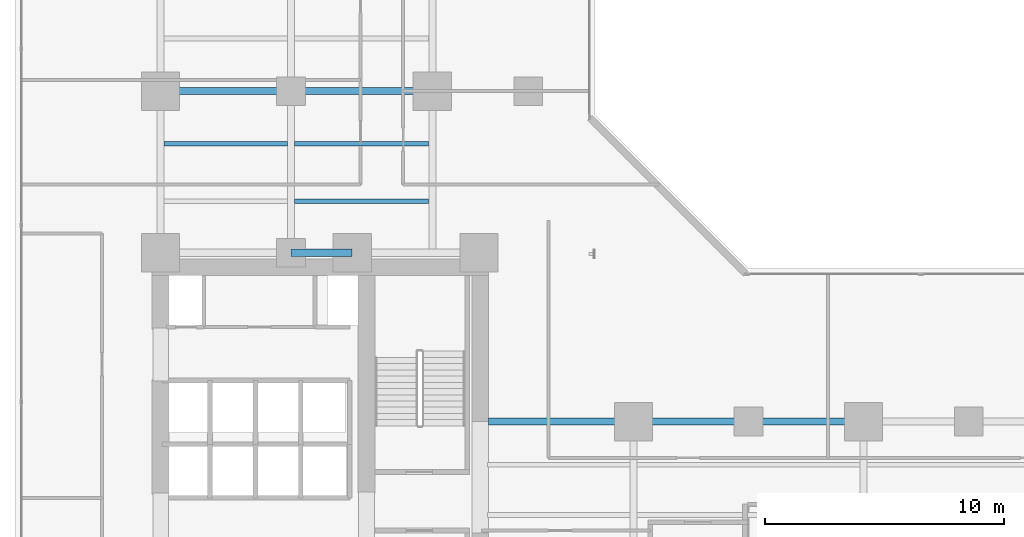
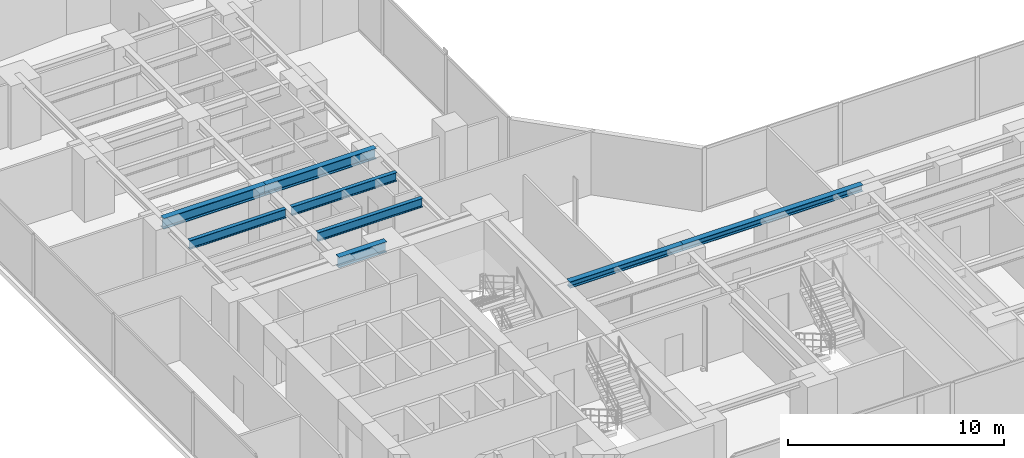
# One storey, part 7 of 27: 8 beams.
"""IFC4 building model written with IfcOpenShell, lengths in metres."""

from ifc_helpers import new_model, si_unit, direction, frame, origin, origin_2d, place, context, subcontext, project, spatial, i_section, extrude, material, material_profile, profile_set, type_object, element, save


model = new_model("IFC4")

# Units and contexts
model_context = context("Model", 3, precision=1e-05, world=origin(), true_north=direction((0.0, 1.0)))
body_context = subcontext(model_context, "Body", "Model", "MODEL_VIEW")
ifc_project = project(units=[si_unit("LENGTHUNIT", "METRE"), si_unit("AREAUNIT", "SQUARE_METRE"), si_unit("VOLUMEUNIT", "CUBIC_METRE"), si_unit("PLANEANGLEUNIT", "RADIAN"), si_unit("MASSUNIT", "GRAM", prefix="KILO")], contexts=[model_context])

# Site, building, storey
site_placement = place(None, origin())
site = spatial("IfcSite", under=ifc_project, at=site_placement, CompositionType="ELEMENT")
building_placement = place(site_placement, origin())
building = spatial("IfcBuilding", under=site, at=building_placement, Name="Kolvaren Waterfront Exchange", CompositionType="ELEMENT")
storey_placement = place(building_placement, frame((0.0, 0.0, 60.0)))
storey = spatial("IfcBuildingStorey", under=building, at=storey_placement, Name="L15", CompositionType="ELEMENT", Elevation=60.0)

# Beams
ifc_material = material(Name="Steel S355", Category="steel")
ifc_material_profile_1 = material_profile(ifc_material, i_section(OverallWidth=0.300048828125, OverallDepth=0.360107421875, WebThickness=0.012451171875, FlangeThickness=0.0224609375, FilletRadius=0.027099609375, at=origin_2d()), Name="HEB360")
ifc_profile_set_1 = profile_set([ifc_material_profile_1], Name="Steel S355")
beam_type_1 = type_object("IfcBeamType", Name="STR-BM-HEB360", PredefinedType="SPANDREL", material=ifc_profile_set_1)
beam_1_placement = place(storey_placement, frame((21.14990234375, 17.39990234375, 3.360107421875), z_axis=(1.0, 0.0, 0.0), x_axis=(0.0, 1.0, 0.0)))
element("IfcBeam", 1, at=beam_1_placement, inside=storey, type_object=beam_type_1, Name="L15 east-arm spandrel N1", PredefinedType="SPANDREL", context=body_context, shape_type="SweptSolid", body=[
    extrude(i_section(OverallWidth=0.300048828125, OverallDepth=0.360107421875, WebThickness=0.012451171875, FlangeThickness=0.0224609375, FilletRadius=0.027099609375, at=origin_2d()), origin(), (0.0, 0.0, 1.0), 6.050048828125),
])
beam_2_placement = place(storey_placement, frame((27.199951171875, 17.39990234375, 3.360107421875), z_axis=(1.0, 0.0, 0.0), x_axis=(0.0, 1.0, 0.0)))
element("IfcBeam", 2, at=beam_2_placement, inside=storey, type_object=beam_type_1, Name="L15 east-arm spandrel N2", PredefinedType="SPANDREL", context=body_context, shape_type="SweptSolid", body=[
    extrude(i_section(OverallWidth=0.300048828125, OverallDepth=0.360107421875, WebThickness=0.012451171875, FlangeThickness=0.0224609375, FilletRadius=0.027099609375, at=origin_2d()), origin(), (0.0, 0.0, 1.0), 9.60009765625),
])
ifc_material_profile_2 = material_profile(ifc_material, i_section(OverallWidth=0.300048828125, OverallDepth=0.60009765625, WebThickness=0.015380859375, FlangeThickness=0.030029296875, FilletRadius=0.027099609375, at=origin_2d()), Name="HEB600")
ifc_profile_set_2 = profile_set([ifc_material_profile_2], Name="Steel S355")
beam_type_2 = type_object("IfcBeamType", Name="STR-BM-HEB600", PredefinedType="BEAM", material=ifc_profile_set_2)
beam_3_placement = place(storey_placement, frame((12.89990234375, 24.449951171875, 3.239990234375), z_axis=(1.0, 0.0, 0.0), x_axis=(0.0, 1.0, 0.0)))
element("IfcBeam", 3, at=beam_3_placement, inside=storey, type_object=beam_type_2, Name="L15 north-arm girder 1B", PredefinedType="BEAM", context=body_context, shape_type="SweptSolid", body=[
    extrude(i_section(OverallWidth=0.300048828125, OverallDepth=0.60009765625, WebThickness=0.015380859375, FlangeThickness=0.030029296875, FilletRadius=0.027099609375, at=origin_2d()), origin(), (0.0, 0.0, 1.0), 2.550048828125),
])
beam_4_placement = place(storey_placement, frame((7.449951171875, 31.199951171875, 3.239990234375), z_axis=(1.0, 0.0, 0.0), x_axis=(0.0, 1.0, 0.0)))
element("IfcBeam", 4, at=beam_4_placement, inside=storey, type_object=beam_type_2, Name="L15 north-arm girder 2A", PredefinedType="BEAM", context=body_context, shape_type="SweptSolid", body=[
    extrude(i_section(OverallWidth=0.300048828125, OverallDepth=0.60009765625, WebThickness=0.015380859375, FlangeThickness=0.030029296875, FilletRadius=0.027099609375, at=origin_2d()), origin(), (0.0, 0.0, 1.0), 5.449951171875),
])
beam_5_placement = place(storey_placement, frame((12.89990234375, 31.199951171875, 3.239990234375), z_axis=(1.0, 0.0, 0.0), x_axis=(0.0, 1.0, 0.0)))
element("IfcBeam", 5, at=beam_5_placement, inside=storey, type_object=beam_type_2, Name="L15 north-arm girder 2B", PredefinedType="BEAM", context=body_context, shape_type="SweptSolid", body=[
    extrude(i_section(OverallWidth=0.300048828125, OverallDepth=0.60009765625, WebThickness=0.015380859375, FlangeThickness=0.030029296875, FilletRadius=0.027099609375, at=origin_2d()), origin(), (0.0, 0.0, 1.0), 5.900146484375),
])
ifc_material_profile_3 = material_profile(ifc_material, i_section(OverallWidth=0.199951171875, OverallDepth=0.5, WebThickness=0.01025390625, FlangeThickness=0.01611328125, FilletRadius=0.02099609375, at=origin_2d()), Name="IPE500")
ifc_profile_set_3 = profile_set([ifc_material_profile_3], Name="Steel S355")
beam_type_3 = type_object("IfcBeamType", Name="STR-BM-IPE500", PredefinedType="JOIST", material=ifc_profile_set_3)
beam_6_placement = place(storey_placement, frame((13.052001953125, 26.60009765625, 3.2900390625), z_axis=(1.0, 0.0, 0.0), x_axis=(0.0, 1.0, 0.0)))
element("IfcBeam", 6, at=beam_6_placement, inside=storey, type_object=beam_type_3, Name="L15 north-arm composite joist 1B", PredefinedType="JOIST", context=body_context, shape_type="SweptSolid", body=[
    extrude(i_section(OverallWidth=0.199951171875, OverallDepth=0.5, WebThickness=0.01025390625, FlangeThickness=0.01611328125, FilletRadius=0.02099609375, at=origin_2d()), origin(), (0.0, 0.0, 1.0), 5.595947265625),
])
beam_7_placement = place(storey_placement, frame((7.60205078125, 29.0, 3.2900390625), z_axis=(1.0, 0.0, 0.0), x_axis=(0.0, 1.0, 0.0)))
element("IfcBeam", 7, at=beam_7_placement, inside=storey, type_object=beam_type_3, Name="L15 north-arm composite joist 2A", PredefinedType="JOIST", context=body_context, shape_type="SweptSolid", body=[
    extrude(i_section(OverallWidth=0.199951171875, OverallDepth=0.5, WebThickness=0.01025390625, FlangeThickness=0.01611328125, FilletRadius=0.02099609375, at=origin_2d()), origin(), (0.0, 0.0, 1.0), 5.14599609375),
])
beam_8_placement = place(storey_placement, frame((13.052001953125, 29.0, 3.2900390625), z_axis=(1.0, 0.0, 0.0), x_axis=(0.0, 1.0, 0.0)))
element("IfcBeam", 8, at=beam_8_placement, inside=storey, type_object=beam_type_3, Name="L15 north-arm composite joist 2B", PredefinedType="JOIST", context=body_context, shape_type="SweptSolid", body=[
    extrude(i_section(OverallWidth=0.199951171875, OverallDepth=0.5, WebThickness=0.01025390625, FlangeThickness=0.01611328125, FilletRadius=0.02099609375, at=origin_2d()), origin(), (0.0, 0.0, 1.0), 5.595947265625),
])

save(model, "model.ifc")
